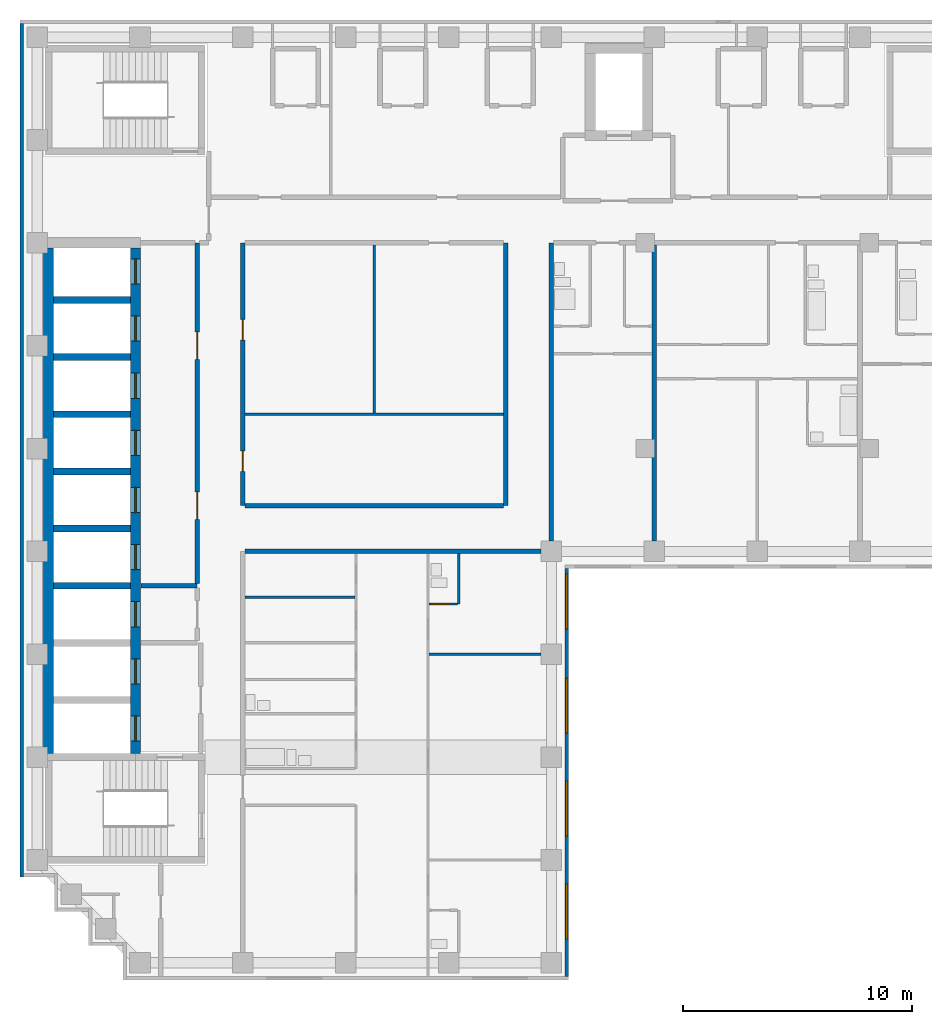
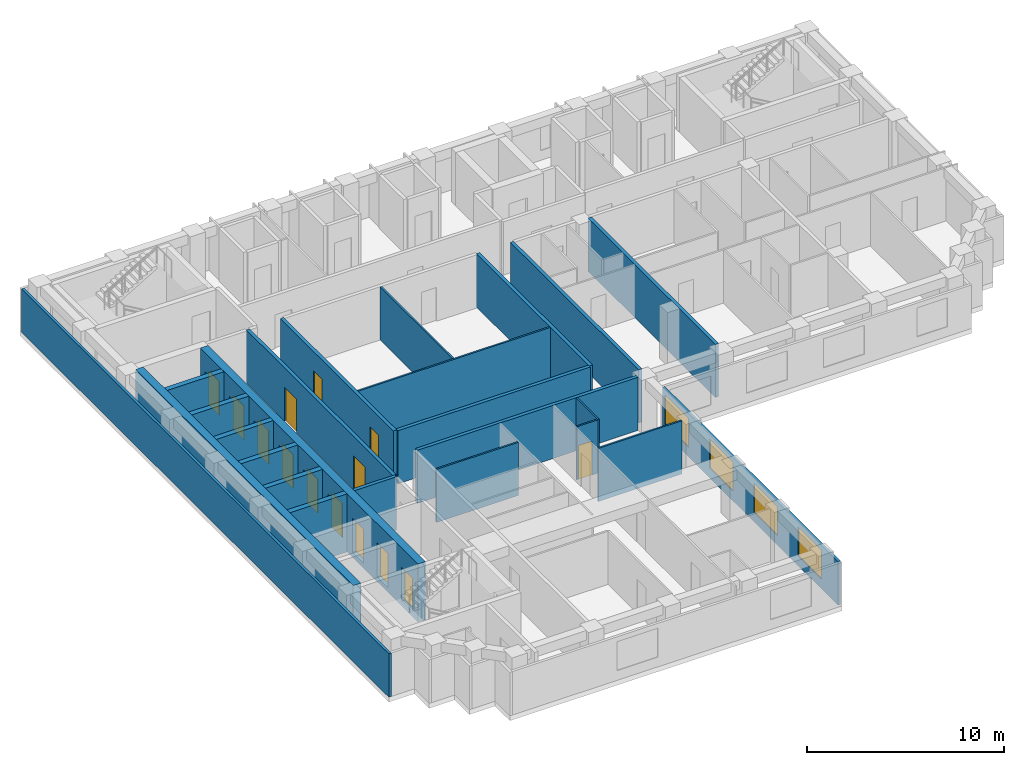
# One storey, part 3 of 8: 24 walls, 14 doors, 4 windows, 18 openings.
"""IFC4 building model written with IfcOpenShell, lengths in metres."""

from ifc_helpers import new_model, si_unit, direction, frame, frame_2d, origin, place, context, subcontext, project, spatial, rectangle, extrude, material, layer, layer_set, type_object, element, fill, save


model = new_model("IFC4")

# Units and contexts
model_context = context("Model", 3, precision=1e-05, world=origin(), true_north=direction((0.0, 1.0)))
body_context = subcontext(model_context, "Body", "Model", "MODEL_VIEW")
ifc_project = project(units=[si_unit("LENGTHUNIT", "METRE"), si_unit("AREAUNIT", "SQUARE_METRE"), si_unit("VOLUMEUNIT", "CUBIC_METRE"), si_unit("PLANEANGLEUNIT", "RADIAN"), si_unit("MASSUNIT", "GRAM", prefix="KILO")], contexts=[model_context])

# Site, building, storey
site_placement = place(None, origin())
site = spatial("IfcSite", under=ifc_project, at=site_placement, CompositionType="ELEMENT")
building_placement = place(site_placement, origin())
building = spatial("IfcBuilding", under=site, at=building_placement, Name="Firuza Court", CompositionType="ELEMENT")
storey_placement = place(building_placement, frame((0.0, 0.0, 251.0)))
storey = spatial("IfcBuildingStorey", under=building, at=storey_placement, Name="L65", CompositionType="ELEMENT", Elevation=251.0)

# Wall, opening, door
ifc_material_1 = material(Name="Moisture-resistant gypsum board partition")
ifc_layer_1 = layer(ifc_material_1, 0.10009765625)
ifc_layer_set_1 = layer_set([ifc_layer_1], Name="Moisture-resistant gypsum board partition")
wall_type_1 = type_object("IfcWallType", Name="Bathroom partition 100", PredefinedType="PLUMBINGWALL", material=ifc_layer_set_1)
wall_1_placement = place(storey_placement, frame((17.14990234375, 33.699951171875, 0.0), z_axis=(0.0, 0.0, 1.0), x_axis=(1.0, 0.0, 0.0)))
wall_1 = element("IfcWall", 1, at=wall_1_placement, inside=storey, type_object=wall_type_1, Name="Bathroom partition 100 L65", PredefinedType="PLUMBINGWALL", context=body_context, shape_type="SweptSolid", body=[
    extrude(rectangle(XDim=1.25, YDim=0.10009765625, at=frame_2d((0.625, 0.0))), origin(), (0.0, 0.0, 1.0), 3.300048828125),
])
opening_1_placement = place(wall_1_placement, frame((0.10009765625, 0.0, 0.0)))
opening_1 = element("IfcOpeningElement", 2, at=opening_1_placement, cuts=wall_1, Name="Opening D65024", PredefinedType="OPENING", context=body_context, shape_type="SweptSolid", body=[
    extrude(rectangle(XDim=0.800048828125, YDim=2.10009765625, at=frame_2d((0.39990234375, 1.050048828125))), frame((0.0, 0.06201171875, 0.0), z_axis=(0.0, -1.0, 0.0), x_axis=(1.0, 0.0, 0.0)), (0.0, 0.0, 1.0), 0.1240234375),
])
ifc_material_2 = material(Name="Timber door leaf in hardwood frame", Category="wood")
door_type_1 = type_object("IfcDoorType", Name="Bathroom door 800", OperationType="SINGLE_SWING_LEFT", PredefinedType="DOOR", material=ifc_material_2)
door_1_placement = place(opening_1_placement, origin())
door_1 = element("IfcDoor", 3, at=door_1_placement, inside=storey, type_object=door_type_1, Name="En-suite door", OperationType="SINGLE_SWING_LEFT", OverallHeight=2.10009765625, OverallWidth=0.800048828125, PredefinedType="DOOR", context=body_context, shape_type="SweptSolid", body=[
    extrude(rectangle(XDim=0.800048828125, YDim=2.10009765625, at=frame_2d((0.39990234375, 1.050048828125))), frame((0.0, 0.02490234375, 0.0), z_axis=(0.0, -1.0, 0.0), x_axis=(1.0, 0.0, 0.0)), (0.0, 0.0, 1.0), 0.050048828125),
])
fill(opening_1, door_1)

# Walls
wall_2_placement = place(storey_placement, frame((18.449951171875, 33.699951171875, 0.0), z_axis=(0.0, 0.0, 1.0), x_axis=(0.0, 1.0, 0.0)))
element("IfcWall", 4, at=wall_2_placement, inside=storey, type_object=wall_type_1, Name="Bathroom partition 100 L65", PredefinedType="PLUMBINGWALL", context=body_context, shape_type="SweptSolid", body=[
    extrude(rectangle(XDim=2.199951171875, YDim=0.10009765625, at=frame_2d((1.10009765625, 0.0))), origin(), (0.0, 0.0, 1.0), 3.300048828125),
])
ifc_material_3 = material(Name="Concrete C50/60", Category="concrete")
ifc_layer_2 = layer(ifc_material_3, 0.300048828125)
ifc_layer_set_2 = layer_set([ifc_layer_2], Name="Concrete C50/60")
wall_type_2 = type_object("IfcWallType", Name="Core wall 300 C50/60", PredefinedType="SHEAR", material=ifc_layer_set_2)
for number, where, z_axis, x_axis, name in (
    (5, (0.72509765625, 34.5, -0.300048828125), (0.0, 0.0, 1.0), (1.0, 0.0, 0.0), "Core wall lift shaft L65"),
    (6, (0.72509765625, 37.0, -0.300048828125), (0.0, 0.0, 1.0), (1.0, 0.0, 0.0), "Core wall lift shaft L65"),
    (7, (0.72509765625, 39.5, -0.300048828125), (0.0, 0.0, 1.0), (1.0, 0.0, 0.0), "Core wall lift shaft L65"),
    (8, (0.72509765625, 42.0, -0.300048828125), (0.0, 0.0, 1.0), (1.0, 0.0, 0.0), "Core wall lift shaft L65"),
    (9, (0.72509765625, 44.5, -0.300048828125), (0.0, 0.0, 1.0), (1.0, 0.0, 0.0), "Core wall lift shaft L65"),
    (10, (0.72509765625, 47.0, -0.300048828125), (0.0, 0.0, 1.0), (1.0, 0.0, 0.0), "Core wall lift shaft L65"),
):
    element("IfcWall", number, at=place(storey_placement, frame(where, z_axis=z_axis, x_axis=x_axis)), inside=storey, type_object=wall_type_2, Name=name, PredefinedType="SHEAR", context=body_context, shape_type="SweptSolid", body=[
        extrude(rectangle(XDim=3.349853515625, YDim=0.300048828125, at=frame_2d((1.6748046875, 0.0))), origin(), (0.0, 0.0, 1.0), 3.60009765625),
    ])
ifc_layer_3 = layer(ifc_material_3, 0.449951171875)
ifc_layer_set_3 = layer_set([ifc_layer_3], Name="Concrete C50/60")
wall_type_3 = type_object("IfcWallType", Name="Core wall 450 C50/60", PredefinedType="SHEAR", material=ifc_layer_set_3)
wall_3_placement = place(storey_placement, frame((0.5, 27.14990234375, -0.300048828125), z_axis=(0.0, 0.0, 1.0), x_axis=(0.0, 1.0, 0.0)))
element("IfcWall", 11, at=wall_3_placement, inside=storey, type_object=wall_type_3, Name="Core wall lift shaft L65", PredefinedType="SHEAR", context=body_context, shape_type="SweptSolid", body=[
    extrude(rectangle(XDim=22.125, YDim=0.449951171875, at=frame_2d((11.0625, 0.0))), origin(), (0.0, 0.0, 1.0), 3.60009765625),
])

# Wall, openings, doors
wall_4_placement = place(storey_placement, frame((4.300048828125, 27.14990234375, -0.300048828125), z_axis=(0.0, 0.0, 1.0), x_axis=(0.0, 1.0, 0.0)))
wall_4 = element("IfcWall", 12, at=wall_4_placement, inside=storey, type_object=wall_type_3, Name="Core wall lift shaft L65", PredefinedType="SHEAR", context=body_context, shape_type="SweptSolid", body=[
    extrude(rectangle(XDim=22.125, YDim=0.449951171875, at=frame_2d((11.0625, 0.0))), origin(), (0.0, 0.0, 1.0), 3.60009765625),
])
opening_2_placement = place(wall_4_placement, frame((3.050048828125, 0.0, 0.300048828125)))
opening_2 = element("IfcOpeningElement", 13, at=opening_2_placement, cuts=wall_4, Name="Opening LD-FL1-65", PredefinedType="OPENING", context=body_context, shape_type="SweptSolid", body=[
    extrude(rectangle(XDim=1.10009765625, YDim=2.10009765625, at=frame_2d((0.550048828125, 1.050048828125))), frame((0.0, 0.23681640625, 0.0), z_axis=(0.0, -1.0, 0.0), x_axis=(1.0, 0.0, 0.0)), (0.0, 0.0, 1.0), 0.473876953125),
])
opening_3_placement = place(wall_4_placement, frame((0.550048828125, 0.0, 0.300048828125)))
opening_3 = element("IfcOpeningElement", 14, at=opening_3_placement, cuts=wall_4, Name="Opening LD-FL2-65", PredefinedType="OPENING", context=body_context, shape_type="SweptSolid", body=[
    extrude(rectangle(XDim=1.10009765625, YDim=2.10009765625, at=frame_2d((0.550048828125, 1.050048828125))), frame((0.0, 0.23681640625, 0.0), z_axis=(0.0, -1.0, 0.0), x_axis=(1.0, 0.0, 0.0)), (0.0, 0.0, 1.0), 0.473876953125),
])
opening_4_placement = place(wall_4_placement, frame((20.550048828125, 0.0, 0.300048828125)))
opening_4 = element("IfcOpeningElement", 15, at=opening_4_placement, cuts=wall_4, Name="Opening LD-HB1-65", PredefinedType="OPENING", context=body_context, shape_type="SweptSolid", body=[
    extrude(rectangle(XDim=1.10009765625, YDim=2.10009765625, at=frame_2d((0.550048828125, 1.050048828125))), frame((0.0, 0.23681640625, 0.0), z_axis=(0.0, -1.0, 0.0), x_axis=(1.0, 0.0, 0.0)), (0.0, 0.0, 1.0), 0.473876953125),
])
opening_5_placement = place(wall_4_placement, frame((18.050048828125, 0.0, 0.300048828125)))
opening_5 = element("IfcOpeningElement", 16, at=opening_5_placement, cuts=wall_4, Name="Opening LD-HB2-65", PredefinedType="OPENING", context=body_context, shape_type="SweptSolid", body=[
    extrude(rectangle(XDim=1.10009765625, YDim=2.10009765625, at=frame_2d((0.550048828125, 1.050048828125))), frame((0.0, 0.23681640625, 0.0), z_axis=(0.0, -1.0, 0.0), x_axis=(1.0, 0.0, 0.0)), (0.0, 0.0, 1.0), 0.473876953125),
])
opening_6_placement = place(wall_4_placement, frame((15.550048828125, 0.0, 0.300048828125)))
opening_6 = element("IfcOpeningElement", 17, at=opening_6_placement, cuts=wall_4, Name="Opening LD-HB3-65", PredefinedType="OPENING", context=body_context, shape_type="SweptSolid", body=[
    extrude(rectangle(XDim=1.10009765625, YDim=2.10009765625, at=frame_2d((0.550048828125, 1.050048828125))), frame((0.0, 0.23681640625, 0.0), z_axis=(0.0, -1.0, 0.0), x_axis=(1.0, 0.0, 0.0)), (0.0, 0.0, 1.0), 0.473876953125),
])
opening_7_placement = place(wall_4_placement, frame((13.050048828125, 0.0, 0.300048828125)))
opening_7 = element("IfcOpeningElement", 18, at=opening_7_placement, cuts=wall_4, Name="Opening LD-HB4-65", PredefinedType="OPENING", context=body_context, shape_type="SweptSolid", body=[
    extrude(rectangle(XDim=1.10009765625, YDim=2.10009765625, at=frame_2d((0.550048828125, 1.050048828125))), frame((0.0, 0.23681640625, 0.0), z_axis=(0.0, -1.0, 0.0), x_axis=(1.0, 0.0, 0.0)), (0.0, 0.0, 1.0), 0.473876953125),
])
opening_8_placement = place(wall_4_placement, frame((10.550048828125, 0.0, 0.300048828125)))
opening_8 = element("IfcOpeningElement", 19, at=opening_8_placement, cuts=wall_4, Name="Opening LD-HB5-65", PredefinedType="OPENING", context=body_context, shape_type="SweptSolid", body=[
    extrude(rectangle(XDim=1.10009765625, YDim=2.10009765625, at=frame_2d((0.550048828125, 1.050048828125))), frame((0.0, 0.23681640625, 0.0), z_axis=(0.0, -1.0, 0.0), x_axis=(1.0, 0.0, 0.0)), (0.0, 0.0, 1.0), 0.473876953125),
])
opening_9_placement = place(wall_4_placement, frame((8.050048828125, 0.0, 0.300048828125)))
opening_9 = element("IfcOpeningElement", 20, at=opening_9_placement, cuts=wall_4, Name="Opening LD-HB6-65", PredefinedType="OPENING", context=body_context, shape_type="SweptSolid", body=[
    extrude(rectangle(XDim=1.10009765625, YDim=2.10009765625, at=frame_2d((0.550048828125, 1.050048828125))), frame((0.0, 0.23681640625, 0.0), z_axis=(0.0, -1.0, 0.0), x_axis=(1.0, 0.0, 0.0)), (0.0, 0.0, 1.0), 0.473876953125),
])
opening_10_placement = place(wall_4_placement, frame((5.550048828125, 0.0, 0.300048828125)))
opening_10 = element("IfcOpeningElement", 21, at=opening_10_placement, cuts=wall_4, Name="Opening LD-SL1-65", PredefinedType="OPENING", context=body_context, shape_type="SweptSolid", body=[
    extrude(rectangle(XDim=1.10009765625, YDim=2.10009765625, at=frame_2d((0.550048828125, 1.050048828125))), frame((0.0, 0.23681640625, 0.0), z_axis=(0.0, -1.0, 0.0), x_axis=(1.0, 0.0, 0.0)), (0.0, 0.0, 1.0), 0.473876953125),
])
ifc_material_4 = material(Name="Stainless steel 1.4301 door leaf", Category="steel")
door_type_2 = type_object("IfcDoorType", Name="Lift landing door 1100", OperationType="SLIDING_TO_LEFT", PredefinedType="DOOR", material=ifc_material_4)
door_2_placement = place(opening_2_placement, origin())
door_2 = element("IfcDoor", 22, at=door_2_placement, inside=storey, type_object=door_type_2, Name="Landing door FL1", OperationType="SLIDING_TO_LEFT", OverallHeight=2.10009765625, OverallWidth=1.10009765625, PredefinedType="DOOR", context=body_context, shape_type="SweptSolid", body=[
    extrude(rectangle(XDim=1.10009765625, YDim=2.10009765625, at=frame_2d((0.550048828125, 1.050048828125))), frame((0.0, 0.02490234375, 0.0), z_axis=(0.0, -1.0, 0.0), x_axis=(1.0, 0.0, 0.0)), (0.0, 0.0, 1.0), 0.050048828125),
])
fill(opening_2, door_2)
door_3_placement = place(opening_3_placement, origin())
door_3 = element("IfcDoor", 23, at=door_3_placement, inside=storey, type_object=door_type_2, Name="Landing door FL2", OperationType="SLIDING_TO_LEFT", OverallHeight=2.10009765625, OverallWidth=1.10009765625, PredefinedType="DOOR", context=body_context, shape_type="SweptSolid", body=[
    extrude(rectangle(XDim=1.10009765625, YDim=2.10009765625, at=frame_2d((0.550048828125, 1.050048828125))), frame((0.0, 0.02490234375, 0.0), z_axis=(0.0, -1.0, 0.0), x_axis=(1.0, 0.0, 0.0)), (0.0, 0.0, 1.0), 0.050048828125),
])
fill(opening_3, door_3)
door_4_placement = place(opening_4_placement, origin())
door_4 = element("IfcDoor", 24, at=door_4_placement, inside=storey, type_object=door_type_2, Name="Landing door HB1", OperationType="SLIDING_TO_LEFT", OverallHeight=2.10009765625, OverallWidth=1.10009765625, PredefinedType="DOOR", context=body_context, shape_type="SweptSolid", body=[
    extrude(rectangle(XDim=1.10009765625, YDim=2.10009765625, at=frame_2d((0.550048828125, 1.050048828125))), frame((0.0, 0.02490234375, 0.0), z_axis=(0.0, -1.0, 0.0), x_axis=(1.0, 0.0, 0.0)), (0.0, 0.0, 1.0), 0.050048828125),
])
fill(opening_4, door_4)
door_5_placement = place(opening_5_placement, origin())
door_5 = element("IfcDoor", 25, at=door_5_placement, inside=storey, type_object=door_type_2, Name="Landing door HB2", OperationType="SLIDING_TO_LEFT", OverallHeight=2.10009765625, OverallWidth=1.10009765625, PredefinedType="DOOR", context=body_context, shape_type="SweptSolid", body=[
    extrude(rectangle(XDim=1.10009765625, YDim=2.10009765625, at=frame_2d((0.550048828125, 1.050048828125))), frame((0.0, 0.02490234375, 0.0), z_axis=(0.0, -1.0, 0.0), x_axis=(1.0, 0.0, 0.0)), (0.0, 0.0, 1.0), 0.050048828125),
])
fill(opening_5, door_5)
door_6_placement = place(opening_6_placement, origin())
door_6 = element("IfcDoor", 26, at=door_6_placement, inside=storey, type_object=door_type_2, Name="Landing door HB3", OperationType="SLIDING_TO_LEFT", OverallHeight=2.10009765625, OverallWidth=1.10009765625, PredefinedType="DOOR", context=body_context, shape_type="SweptSolid", body=[
    extrude(rectangle(XDim=1.10009765625, YDim=2.10009765625, at=frame_2d((0.550048828125, 1.050048828125))), frame((0.0, 0.02490234375, 0.0), z_axis=(0.0, -1.0, 0.0), x_axis=(1.0, 0.0, 0.0)), (0.0, 0.0, 1.0), 0.050048828125),
])
fill(opening_6, door_6)
door_7_placement = place(opening_7_placement, origin())
door_7 = element("IfcDoor", 27, at=door_7_placement, inside=storey, type_object=door_type_2, Name="Landing door HB4", OperationType="SLIDING_TO_LEFT", OverallHeight=2.10009765625, OverallWidth=1.10009765625, PredefinedType="DOOR", context=body_context, shape_type="SweptSolid", body=[
    extrude(rectangle(XDim=1.10009765625, YDim=2.10009765625, at=frame_2d((0.550048828125, 1.050048828125))), frame((0.0, 0.02490234375, 0.0), z_axis=(0.0, -1.0, 0.0), x_axis=(1.0, 0.0, 0.0)), (0.0, 0.0, 1.0), 0.050048828125),
])
fill(opening_7, door_7)
door_8_placement = place(opening_8_placement, origin())
door_8 = element("IfcDoor", 28, at=door_8_placement, inside=storey, type_object=door_type_2, Name="Landing door HB5", OperationType="SLIDING_TO_LEFT", OverallHeight=2.10009765625, OverallWidth=1.10009765625, PredefinedType="DOOR", context=body_context, shape_type="SweptSolid", body=[
    extrude(rectangle(XDim=1.10009765625, YDim=2.10009765625, at=frame_2d((0.550048828125, 1.050048828125))), frame((0.0, 0.02490234375, 0.0), z_axis=(0.0, -1.0, 0.0), x_axis=(1.0, 0.0, 0.0)), (0.0, 0.0, 1.0), 0.050048828125),
])
fill(opening_8, door_8)
door_9_placement = place(opening_9_placement, origin())
door_9 = element("IfcDoor", 29, at=door_9_placement, inside=storey, type_object=door_type_2, Name="Landing door HB6", OperationType="SLIDING_TO_LEFT", OverallHeight=2.10009765625, OverallWidth=1.10009765625, PredefinedType="DOOR", context=body_context, shape_type="SweptSolid", body=[
    extrude(rectangle(XDim=1.10009765625, YDim=2.10009765625, at=frame_2d((0.550048828125, 1.050048828125))), frame((0.0, 0.02490234375, 0.0), z_axis=(0.0, -1.0, 0.0), x_axis=(1.0, 0.0, 0.0)), (0.0, 0.0, 1.0), 0.050048828125),
])
fill(opening_9, door_9)
door_10_placement = place(opening_10_placement, origin())
door_10 = element("IfcDoor", 30, at=door_10_placement, inside=storey, type_object=door_type_2, Name="Landing door SL1", OperationType="SLIDING_TO_LEFT", OverallHeight=2.10009765625, OverallWidth=1.10009765625, PredefinedType="DOOR", context=body_context, shape_type="SweptSolid", body=[
    extrude(rectangle(XDim=1.10009765625, YDim=2.10009765625, at=frame_2d((0.550048828125, 1.050048828125))), frame((0.0, 0.02490234375, 0.0), z_axis=(0.0, -1.0, 0.0), x_axis=(1.0, 0.0, 0.0)), (0.0, 0.0, 1.0), 0.050048828125),
])
fill(opening_10, door_10)

ifc_material_5 = material(Name="Blockwork, plastered both sides", Category="masonry")
ifc_layer_4 = layer(ifc_material_5, 0.199951171875)
ifc_layer_set_4 = layer_set([ifc_layer_4], Name="Blockwork, plastered both sides")
wall_type_4 = type_object("IfcWallType", Name="Corridor wall 200", PredefinedType="PARTITIONING", material=ifc_layer_set_4)
wall_5_placement = place(storey_placement, frame((9.0, 38.0, 0.0), z_axis=(0.0, 0.0, 1.0), x_axis=(0.0, 1.0, 0.0)))
wall_5 = element("IfcWall", 31, at=wall_5_placement, inside=storey, type_object=wall_type_4, Name="Corridor wall 200 L65", PredefinedType="PARTITIONING", context=body_context, shape_type="SweptSolid", body=[
    extrude(rectangle(XDim=11.5, YDim=0.199951171875, at=frame_2d((5.75, 0.0))), origin(), (0.0, 0.0, 1.0), 3.300048828125),
])
opening_11_placement = place(wall_5_placement, frame((1.5, 0.0, 0.0)))
opening_11 = element("IfcOpeningElement", 32, at=opening_11_placement, cuts=wall_5, Name="Opening D65025", PredefinedType="OPENING", context=body_context, shape_type="SweptSolid", body=[
    extrude(rectangle(XDim=0.89990234375, YDim=2.10009765625, at=frame_2d((0.449951171875, 1.050048828125))), frame((0.0, 0.11181640625, 0.0), z_axis=(0.0, -1.0, 0.0), x_axis=(1.0, 0.0, 0.0)), (0.0, 0.0, 1.0), 0.223876953125),
])
opening_12_placement = place(wall_5_placement, frame((7.25, 0.0, 0.0)))
opening_12 = element("IfcOpeningElement", 33, at=opening_12_placement, cuts=wall_5, Name="Opening D65026", PredefinedType="OPENING", context=body_context, shape_type="SweptSolid", body=[
    extrude(rectangle(XDim=0.89990234375, YDim=2.10009765625, at=frame_2d((0.449951171875, 1.050048828125))), frame((0.0, 0.11181640625, 0.0), z_axis=(0.0, -1.0, 0.0), x_axis=(1.0, 0.0, 0.0)), (0.0, 0.0, 1.0), 0.223876953125),
])
ifc_material_6 = material(Name="Timber door leaf in hardwood frame", Category="wood")
door_type_3 = type_object("IfcDoorType", Name="Room door 900 EI 30", OperationType="SINGLE_SWING_LEFT", PredefinedType="DOOR", material=ifc_material_6)
door_11_placement = place(opening_11_placement, origin())
door_11 = element("IfcDoor", 34, at=door_11_placement, inside=storey, type_object=door_type_3, Name="Observation lounge door", OperationType="SINGLE_SWING_LEFT", OverallHeight=2.10009765625, OverallWidth=0.89990234375, PredefinedType="DOOR", context=body_context, shape_type="SweptSolid", body=[
    extrude(rectangle(XDim=0.89990234375, YDim=2.10009765625, at=frame_2d((0.449951171875, 1.050048828125))), frame((0.0, 0.02490234375, 0.0), z_axis=(0.0, -1.0, 0.0), x_axis=(1.0, 0.0, 0.0)), (0.0, 0.0, 1.0), 0.050048828125),
])
fill(opening_11, door_11)
door_12_placement = place(opening_12_placement, origin())
door_12 = element("IfcDoor", 35, at=door_12_placement, inside=storey, type_object=door_type_3, Name="Private dining room door", OperationType="SINGLE_SWING_RIGHT", OverallHeight=2.10009765625, OverallWidth=0.89990234375, PredefinedType="DOOR", context=body_context, shape_type="SweptSolid", body=[
    extrude(rectangle(XDim=0.89990234375, YDim=2.10009765625, at=frame_2d((0.449951171875, 1.050048828125))), frame((0.0, 0.02490234375, 0.0), z_axis=(0.0, -1.0, 0.0), x_axis=(1.0, 0.0, 0.0)), (0.0, 0.0, 1.0), 0.050048828125),
])
fill(opening_12, door_12)

# Walls
wall_6_placement = place(storey_placement, frame((9.10009765625, 38.0, 0.0), z_axis=(0.0, 0.0, 1.0), x_axis=(1.0, 0.0, 0.0)))
element("IfcWall", 36, at=wall_6_placement, inside=storey, type_object=wall_type_4, Name="Corridor wall 200 L65", PredefinedType="PARTITIONING", context=body_context, shape_type="SweptSolid", body=[
    extrude(rectangle(XDim=11.2998046875, YDim=0.199951171875, at=frame_2d((5.64990234375, 0.0))), origin(), (0.0, 0.0, 1.0), 3.300048828125),
])
wall_7_placement = place(storey_placement, frame((20.5, 38.0, 0.0), z_axis=(0.0, 0.0, 1.0), x_axis=(0.0, 1.0, 0.0)))
element("IfcWall", 37, at=wall_7_placement, inside=storey, type_object=wall_type_4, Name="Corridor wall 200 L65", PredefinedType="PARTITIONING", context=body_context, shape_type="SweptSolid", body=[
    extrude(rectangle(XDim=11.5, YDim=0.199951171875, at=frame_2d((5.75, 0.0))), origin(), (0.0, 0.0, 1.0), 3.300048828125),
])
ifc_material_7 = material(Name="Timber stud partition, plasterboard both sides", Category="wood")
ifc_layer_5 = layer(ifc_material_7, 0.10009765625)
ifc_layer_set_5 = layer_set([ifc_layer_5], Name="Timber stud partition, plasterboard both sides")
wall_type_5 = type_object("IfcWallType", Name="Partition wall 100", PredefinedType="PARTITIONING", material=ifc_layer_set_5)
wall_8_placement = place(storey_placement, frame((17.14990234375, 31.5, 0.0), z_axis=(0.0, 0.0, 1.0), x_axis=(1.0, 0.0, 0.0)))
element("IfcWall", 38, at=wall_8_placement, inside=storey, type_object=wall_type_5, Name="Partition wall 100 L65", PredefinedType="PARTITIONING", context=body_context, shape_type="SweptSolid", body=[
    extrude(rectangle(XDim=4.900146484375, YDim=0.10009765625, at=frame_2d((2.4501953125, 0.0))), origin(), (0.0, 0.0, 1.0), 3.300048828125),
])
wall_9_placement = place(storey_placement, frame((9.10009765625, 34.0, 0.0), z_axis=(0.0, 0.0, 1.0), x_axis=(1.0, 0.0, 0.0)))
element("IfcWall", 39, at=wall_9_placement, inside=storey, type_object=wall_type_5, Name="Partition wall 100 L65", PredefinedType="PARTITIONING", context=body_context, shape_type="SweptSolid", body=[
    extrude(rectangle(XDim=4.7998046875, YDim=0.10009765625, at=frame_2d((2.39990234375, 0.0))), origin(), (0.0, 0.0, 1.0), 3.300048828125),
])
wall_10_placement = place(storey_placement, frame((9.10009765625, 42.0, 0.0), z_axis=(0.0, 0.0, 1.0), x_axis=(1.0, 0.0, 0.0)))
element("IfcWall", 40, at=wall_10_placement, inside=storey, type_object=wall_type_5, Name="Partition wall 100 L65", PredefinedType="PARTITIONING", context=body_context, shape_type="SweptSolid", body=[
    extrude(rectangle(XDim=11.2998046875, YDim=0.10009765625, at=frame_2d((5.64990234375, 0.0))), origin(), (0.0, 0.0, 1.0), 3.300048828125),
])
wall_11_placement = place(storey_placement, frame((14.75, 42.050048828125, 0.0), z_axis=(0.0, 0.0, 1.0), x_axis=(0.0, 1.0, 0.0)))
element("IfcWall", 41, at=wall_11_placement, inside=storey, type_object=wall_type_5, Name="Partition wall 100 L65", PredefinedType="PARTITIONING", context=body_context, shape_type="SweptSolid", body=[
    extrude(rectangle(XDim=7.349853515625, YDim=0.10009765625, at=frame_2d((3.6748046875, 0.0))), origin(), (0.0, 0.0, 1.0), 3.300048828125),
])
ifc_layer_6 = layer(ifc_material_5, 0.199951171875)
ifc_layer_set_6 = layer_set([ifc_layer_6], Name="Blockwork, plastered both sides")
wall_type_6 = type_object("IfcWallType", Name="Party wall 200", PredefinedType="PARTITIONING", material=ifc_layer_set_6)
wall_12_placement = place(storey_placement, frame((9.10009765625, 36.0, 0.0), z_axis=(0.0, 0.0, 1.0), x_axis=(1.0, 0.0, 0.0)))
element("IfcWall", 42, at=wall_12_placement, inside=storey, type_object=wall_type_6, Name="Party wall 200 L65", PredefinedType="PARTITIONING", context=body_context, shape_type="SweptSolid", body=[
    extrude(rectangle(XDim=12.949951171875, YDim=0.199951171875, at=frame_2d((6.47509765625, 0.0))), origin(), (0.0, 0.0, 1.0), 3.300048828125),
])
wall_13_placement = place(storey_placement, frame((22.5, 36.449951171875, 0.0), z_axis=(0.0, 0.0, 1.0), x_axis=(0.0, 1.0, 0.0)))
element("IfcWall", 43, at=wall_13_placement, inside=storey, type_object=wall_type_6, Name="Party wall 200 L65", PredefinedType="PARTITIONING", context=body_context, shape_type="SweptSolid", body=[
    extrude(rectangle(XDim=13.050048828125, YDim=0.199951171875, at=frame_2d((6.52490234375, 0.0))), origin(), (0.0, 0.0, 1.0), 3.300048828125),
])
wall_14_placement = place(storey_placement, frame((27.0, 36.449951171875, 0.0), z_axis=(0.0, 0.0, 1.0), x_axis=(0.0, 1.0, 0.0)))
element("IfcWall", 44, at=wall_14_placement, inside=storey, type_object=wall_type_6, Name="Party wall 200 L65", PredefinedType="PARTITIONING", context=body_context, shape_type="SweptSolid", body=[
    extrude(rectangle(XDim=12.949951171875, YDim=0.199951171875, at=frame_2d((6.47509765625, 0.0))), origin(), (0.0, 0.0, 1.0), 3.300048828125),
])

# Wall, openings, windows
ifc_material_8 = material(Name="Ceramic tile", Category="ceramic")
ifc_layer_7 = layer(ifc_material_8, 0.02001953125)
ifc_material_9 = material(Name="Mineral wool insulation", Category="insulation")
ifc_layer_8 = layer(ifc_material_9, 0.050048828125)
ifc_material_10 = material(Name="Concrete C40/50 precast", Category="concrete")
ifc_layer_9 = layer(ifc_material_10, 0.080078125)
ifc_layer_set_7 = layer_set([ifc_layer_7, ifc_layer_8, ifc_layer_9], Name="Concrete C40/50 precast")
wall_type_7 = type_object("IfcWallType", Name="Precast cladding wall with turquoise TILE PANEL face 150", PredefinedType="STANDARD", material=ifc_layer_set_7)
wall_15_placement = place(storey_placement, frame((23.175048828125, 17.39990234375, 0.0), z_axis=(0.0, 0.0, 1.0), x_axis=(0.0, 1.0, 0.0)))
wall_15 = element("IfcWall", 45, at=wall_15_placement, inside=storey, type_object=wall_type_7, Name="Facade wall L65 E", PredefinedType="STANDARD", context=body_context, shape_type="SweptSolid", body=[
    extrude(rectangle(XDim=17.85009765625, YDim=0.14990234375, at=frame_2d((8.925048828125, 0.0))), origin(), (0.0, 0.0, 1.0), 2.699951171875),
])
opening_13_placement = place(wall_15_placement, frame((1.64990234375, 0.0, 0.60009765625)))
opening_13 = element("IfcOpeningElement", 46, at=opening_13_placement, cuts=wall_15, Name="Opening W1", PredefinedType="OPENING", context=body_context, shape_type="SweptSolid", body=[
    extrude(rectangle(XDim=2.39990234375, YDim=1.800048828125, at=frame_2d((1.199951171875, 0.89990234375))), frame((0.0, 0.0869140625, 0.0), z_axis=(0.0, -1.0, 0.0), x_axis=(1.0, 0.0, 0.0)), (0.0, 0.0, 1.0), 0.173828125),
])
opening_14_placement = place(wall_15_placement, frame((6.14990234375, 0.0, 0.60009765625)))
opening_14 = element("IfcOpeningElement", 47, at=opening_14_placement, cuts=wall_15, Name="Opening W1", PredefinedType="OPENING", context=body_context, shape_type="SweptSolid", body=[
    extrude(rectangle(XDim=2.39990234375, YDim=1.800048828125, at=frame_2d((1.199951171875, 0.89990234375))), frame((0.0, 0.0869140625, 0.0), z_axis=(0.0, -1.0, 0.0), x_axis=(1.0, 0.0, 0.0)), (0.0, 0.0, 1.0), 0.173828125),
])
opening_15_placement = place(wall_15_placement, frame((10.64990234375, 0.0, 0.60009765625)))
opening_15 = element("IfcOpeningElement", 48, at=opening_15_placement, cuts=wall_15, Name="Opening W1", PredefinedType="OPENING", context=body_context, shape_type="SweptSolid", body=[
    extrude(rectangle(XDim=2.39990234375, YDim=1.800048828125, at=frame_2d((1.199951171875, 0.89990234375))), frame((0.0, 0.0869140625, 0.0), z_axis=(0.0, -1.0, 0.0), x_axis=(1.0, 0.0, 0.0)), (0.0, 0.0, 1.0), 0.173828125),
])
opening_16_placement = place(wall_15_placement, frame((15.201904296875, 0.0, 0.60009765625)))
opening_16 = element("IfcOpeningElement", 49, at=opening_16_placement, cuts=wall_15, Name="Opening W1", PredefinedType="OPENING", context=body_context, shape_type="SweptSolid", body=[
    extrude(rectangle(XDim=2.39990234375, YDim=1.800048828125, at=frame_2d((1.199951171875, 0.89990234375))), frame((0.0, 0.0869140625, 0.0), z_axis=(0.0, -1.0, 0.0), x_axis=(1.0, 0.0, 0.0)), (0.0, 0.0, 1.0), 0.173828125),
])
ifc_material_11 = material(Name="Aluminium frame, triple clear glazing", Category="aluminium")
window_type = type_object("IfcWindowType", Name="Window W1 2400 x 1800", PartitioningType="SINGLE_PANEL", PredefinedType="WINDOW", material=ifc_material_11)
window_1_placement = place(opening_13_placement, origin())
window_1 = element("IfcWindow", 50, at=window_1_placement, inside=storey, type_object=window_type, Name="Window L65", OverallHeight=1.800048828125, OverallWidth=2.39990234375, PartitioningType="SINGLE_PANEL", PredefinedType="WINDOW", context=body_context, shape_type="SweptSolid", body=[
    extrude(rectangle(XDim=2.39990234375, YDim=1.800048828125, at=frame_2d((1.199951171875, 0.89990234375))), frame((0.0, 0.030029296875, 0.0), z_axis=(0.0, -1.0, 0.0), x_axis=(1.0, 0.0, 0.0)), (0.0, 0.0, 1.0), 0.06005859375),
])
fill(opening_13, window_1)
window_2_placement = place(opening_14_placement, origin())
window_2 = element("IfcWindow", 51, at=window_2_placement, inside=storey, type_object=window_type, Name="Window L65", OverallHeight=1.800048828125, OverallWidth=2.39990234375, PartitioningType="SINGLE_PANEL", PredefinedType="WINDOW", context=body_context, shape_type="SweptSolid", body=[
    extrude(rectangle(XDim=2.39990234375, YDim=1.800048828125, at=frame_2d((1.199951171875, 0.89990234375))), frame((0.0, 0.030029296875, 0.0), z_axis=(0.0, -1.0, 0.0), x_axis=(1.0, 0.0, 0.0)), (0.0, 0.0, 1.0), 0.06005859375),
])
fill(opening_14, window_2)
window_3_placement = place(opening_15_placement, origin())
window_3 = element("IfcWindow", 52, at=window_3_placement, inside=storey, type_object=window_type, Name="Window L65", OverallHeight=1.800048828125, OverallWidth=2.39990234375, PartitioningType="SINGLE_PANEL", PredefinedType="WINDOW", context=body_context, shape_type="SweptSolid", body=[
    extrude(rectangle(XDim=2.39990234375, YDim=1.800048828125, at=frame_2d((1.199951171875, 0.89990234375))), frame((0.0, 0.030029296875, 0.0), z_axis=(0.0, -1.0, 0.0), x_axis=(1.0, 0.0, 0.0)), (0.0, 0.0, 1.0), 0.06005859375),
])
fill(opening_15, window_3)
window_4_placement = place(opening_16_placement, origin())
window_4 = element("IfcWindow", 53, at=window_4_placement, inside=storey, type_object=window_type, Name="Window L65", OverallHeight=1.800048828125, OverallWidth=2.39990234375, PartitioningType="SINGLE_PANEL", PredefinedType="WINDOW", context=body_context, shape_type="SweptSolid", body=[
    extrude(rectangle(XDim=2.39990234375, YDim=1.800048828125, at=frame_2d((1.199951171875, 0.89990234375))), frame((0.0, 0.030029296875, 0.0), z_axis=(0.0, -1.0, 0.0), x_axis=(1.0, 0.0, 0.0)), (0.0, 0.0, 1.0), 0.06005859375),
])
fill(opening_16, window_4)

# Walls
wall_16_placement = place(storey_placement, frame((-0.675048828125, 59.10009765625, 0.0), z_axis=(0.0, 0.0, 1.0), x_axis=(0.0, -1.0, 0.0)))
element("IfcWall", 54, at=wall_16_placement, inside=storey, type_object=wall_type_7, Name="Facade wall L65 W", PredefinedType="STANDARD", context=body_context, shape_type="SweptSolid", body=[
    extrude(rectangle(XDim=37.35009765625, YDim=0.14990234375, at=frame_2d((18.675048828125, 0.0))), origin(), (0.0, 0.0, 1.0), 2.699951171875),
])
ifc_material_12 = material(Name="Blockwork, fire-rated", Category="masonry")
ifc_layer_10 = layer(ifc_material_12, 0.199951171875)
ifc_layer_set_8 = layer_set([ifc_layer_10], Name="Blockwork, fire-rated")
wall_type_8 = type_object("IfcWallType", Name="Shaft wall 200", PredefinedType="PARTITIONING", material=ifc_layer_set_8)
wall_17_placement = place(storey_placement, frame((4.544921875, 34.5, 0.0), z_axis=(0.0, 0.0, 1.0), x_axis=(1.0, 0.0, 0.0)))
element("IfcWall", 55, at=wall_17_placement, inside=storey, type_object=wall_type_8, Name="Shaft wall 200 L65", PredefinedType="PARTITIONING", context=body_context, shape_type="SweptSolid", body=[
    extrude(rectangle(XDim=2.455078125, YDim=0.199951171875, at=frame_2d((1.2275390625, 0.0))), origin(), (0.0, 0.0, 1.0), 3.300048828125),
])

# Wall, openings, doors
wall_18_placement = place(storey_placement, frame((7.0, 34.60009765625, 0.0), z_axis=(0.0, 0.0, 1.0), x_axis=(0.0, 1.0, 0.0)))
wall_18 = element("IfcWall", 56, at=wall_18_placement, inside=storey, type_object=wall_type_8, Name="Shaft wall 200 L65", PredefinedType="PARTITIONING", context=body_context, shape_type="SweptSolid", body=[
    extrude(rectangle(XDim=14.89990234375, YDim=0.199951171875, at=frame_2d((7.449951171875, 0.0))), origin(), (0.0, 0.0, 1.0), 3.300048828125),
])
opening_17_placement = place(wall_18_placement, frame((2.800048828125, 0.0, 0.0)))
opening_17 = element("IfcOpeningElement", 57, at=opening_17_placement, cuts=wall_18, Name="Opening D65004", PredefinedType="OPENING", context=body_context, shape_type="SweptSolid", body=[
    extrude(rectangle(XDim=1.199951171875, YDim=2.10009765625, at=frame_2d((0.60009765625, 1.050048828125))), frame((0.0, 0.11181640625, 0.0), z_axis=(0.0, -1.0, 0.0), x_axis=(1.0, 0.0, 0.0)), (0.0, 0.0, 1.0), 0.223876953125),
])
opening_18_placement = place(wall_18_placement, frame((9.800048828125, 0.0, 0.0)))
opening_18 = element("IfcOpeningElement", 58, at=opening_18_placement, cuts=wall_18, Name="Opening D65005", PredefinedType="OPENING", context=body_context, shape_type="SweptSolid", body=[
    extrude(rectangle(XDim=1.199951171875, YDim=2.10009765625, at=frame_2d((0.60009765625, 1.050048828125))), frame((0.0, 0.11181640625, 0.0), z_axis=(0.0, -1.0, 0.0), x_axis=(1.0, 0.0, 0.0)), (0.0, 0.0, 1.0), 0.223876953125),
])
ifc_material_13 = material(Name="Timber door leaf in hardwood frame", Category="wood")
door_type_4 = type_object("IfcDoorType", Name="Lobby door 1200", OperationType="SINGLE_SWING_LEFT", PredefinedType="DOOR", material=ifc_material_13)
door_13_placement = place(opening_17_placement, origin())
door_13 = element("IfcDoor", 59, at=door_13_placement, inside=storey, type_object=door_type_4, Name="Lobby door", OperationType="SINGLE_SWING_LEFT", OverallHeight=2.10009765625, OverallWidth=1.199951171875, PredefinedType="DOOR", context=body_context, shape_type="SweptSolid", body=[
    extrude(rectangle(XDim=1.199951171875, YDim=2.10009765625, at=frame_2d((0.60009765625, 1.050048828125))), frame((0.0, 0.02490234375, 0.0), z_axis=(0.0, -1.0, 0.0), x_axis=(1.0, 0.0, 0.0)), (0.0, 0.0, 1.0), 0.050048828125),
])
fill(opening_17, door_13)
door_14_placement = place(opening_18_placement, origin())
door_14 = element("IfcDoor", 60, at=door_14_placement, inside=storey, type_object=door_type_4, Name="Lobby door", OperationType="SINGLE_SWING_RIGHT", OverallHeight=2.10009765625, OverallWidth=1.199951171875, PredefinedType="DOOR", context=body_context, shape_type="SweptSolid", body=[
    extrude(rectangle(XDim=1.199951171875, YDim=2.10009765625, at=frame_2d((0.60009765625, 1.050048828125))), frame((0.0, 0.02490234375, 0.0), z_axis=(0.0, -1.0, 0.0), x_axis=(1.0, 0.0, 0.0)), (0.0, 0.0, 1.0), 0.050048828125),
])
fill(opening_18, door_14)

save(model, "model.ifc")
